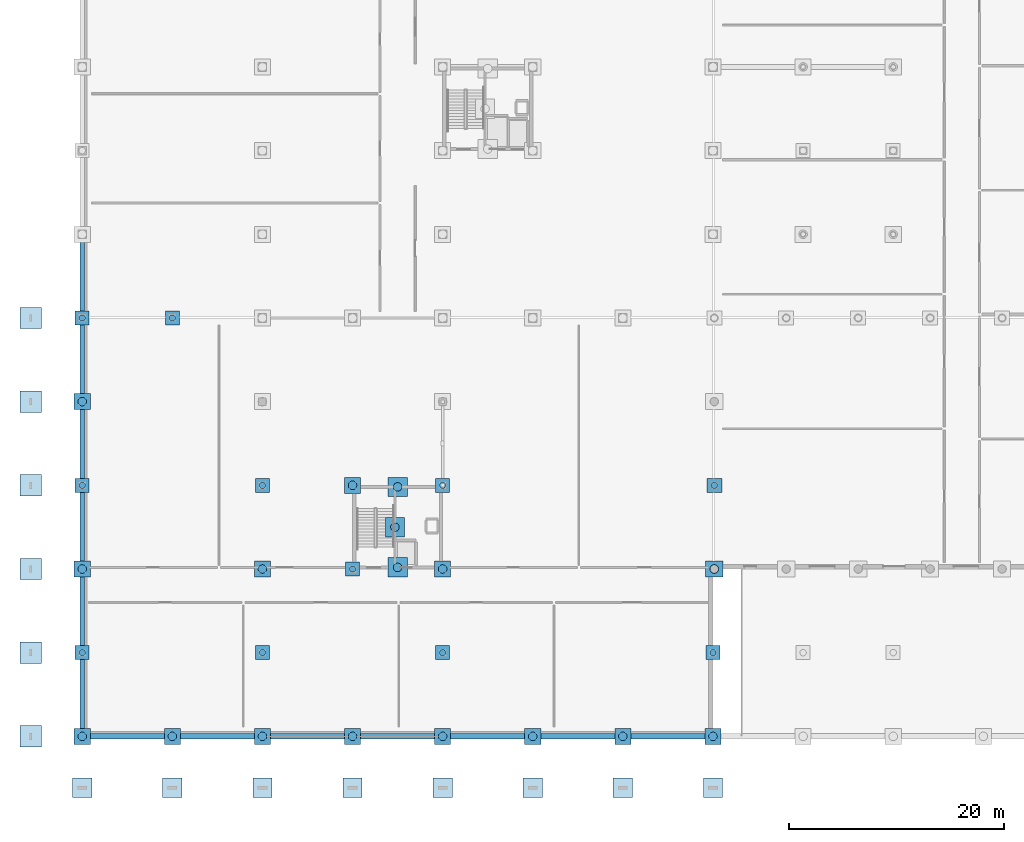
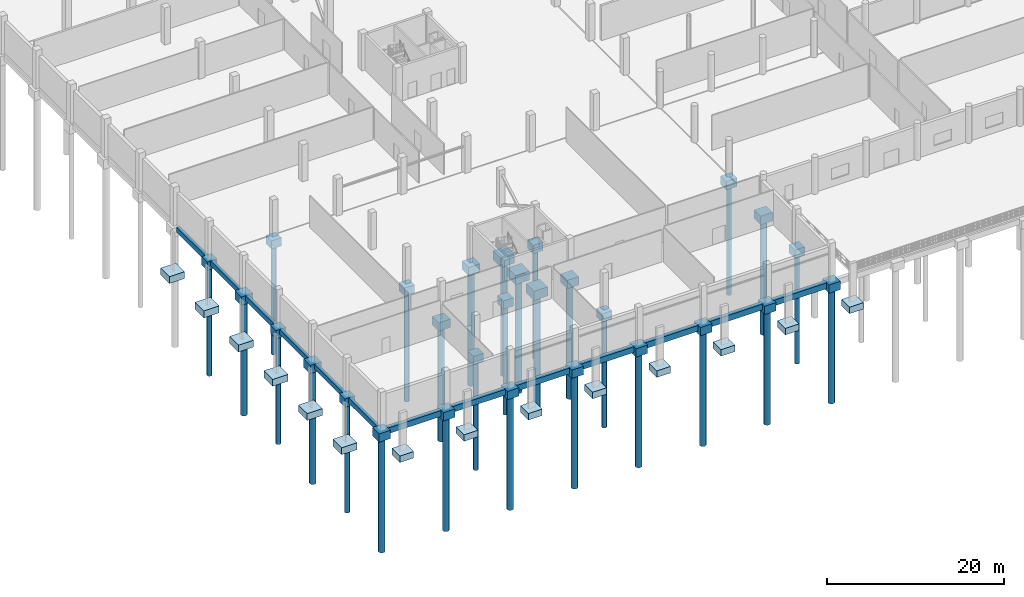
# One storey, part 1 of 48: 55 footings, 28 piles.
"""IFC4 building model written with IfcOpenShell, lengths in metres."""

from ifc_helpers import new_model, si_unit, direction, frame, origin, origin_2d, place, context, subcontext, project, spatial, polyline, rectangle, circle, outline, extrude, material, material_profile, profile_set, type_object, element, save


model = new_model("IFC4")

# Units and contexts
model_context = context("Model", 3, precision=1e-05, world=origin(), true_north=direction((0.0, 1.0)))
body_context = subcontext(model_context, "Body", "Model", "MODEL_VIEW")
ifc_project = project(units=[si_unit("LENGTHUNIT", "METRE"), si_unit("AREAUNIT", "SQUARE_METRE"), si_unit("VOLUMEUNIT", "CUBIC_METRE"), si_unit("PLANEANGLEUNIT", "RADIAN"), si_unit("MASSUNIT", "GRAM", prefix="KILO")], contexts=[model_context])

# Site, building, storey
site_placement = place(None, origin())
site = spatial("IfcSite", under=ifc_project, at=site_placement, CompositionType="ELEMENT")
building_placement = place(site_placement, origin())
building = spatial("IfcBuilding", under=site, at=building_placement, Name="Nabrawat Pavilion Hospital", CompositionType="ELEMENT")
storey_placement = place(building_placement, frame((0.0, 0.0, -5.10009765625)))
storey = spatial("IfcBuildingStorey", under=building, at=storey_placement, Name="B1", CompositionType="ELEMENT", Elevation=-5.10009765625)

# Footings
ifc_material = material(Name="Concrete C35/45", Category="concrete")
footing_type_1 = type_object("IfcFootingType", Name="Ambulance Canopy Pad Footing 2000x2000x950", PredefinedType="PAD_FOOTING", material=ifc_material)
footing_1_placement = place(storey_placement, frame((0.0, 0.0, -1.169921875)))
element("IfcFooting", 1, at=footing_1_placement, inside=storey, type_object=footing_type_1, Name="Colonnade Foundation Pad Footing 09", PredefinedType="PAD_FOOTING", context=body_context, shape_type="SweptSolid", body=[
    extrude(outline(polyline([(-3.800048828125, -1.0), (-3.800048828125, 1.0), (-5.800048828125, 1.0), (-5.800048828125, -1.0), (-3.800048828125, -1.0)])), origin(), (0.0, 0.0, 1.0), 0.949951171875),
])
footing_2_placement = place(storey_placement, frame((0.0, 0.0, -1.169921875)))
element("IfcFooting", 2, at=footing_2_placement, inside=storey, type_object=footing_type_1, Name="Colonnade Foundation Pad Footing 10", PredefinedType="PAD_FOOTING", context=body_context, shape_type="SweptSolid", body=[
    extrude(outline(polyline([(-3.800048828125, 6.800048828125), (-3.800048828125, 8.800048828125), (-5.800048828125, 8.800048828125), (-5.800048828125, 6.800048828125), (-3.800048828125, 6.800048828125)])), origin(), (0.0, 0.0, 1.0), 0.949951171875),
])
footing_3_placement = place(storey_placement, frame((0.0, 0.0, -1.169921875)))
element("IfcFooting", 3, at=footing_3_placement, inside=storey, type_object=footing_type_1, Name="Colonnade Foundation Pad Footing 11", PredefinedType="PAD_FOOTING", context=body_context, shape_type="SweptSolid", body=[
    extrude(outline(polyline([(-3.800048828125, 14.60009765625), (-3.800048828125, 16.60009765625), (-5.800048828125, 16.60009765625), (-5.800048828125, 14.60009765625), (-3.800048828125, 14.60009765625)])), origin(), (0.0, 0.0, 1.0), 0.949951171875),
])
footing_4_placement = place(storey_placement, frame((0.0, 0.0, -1.169921875)))
element("IfcFooting", 4, at=footing_4_placement, inside=storey, type_object=footing_type_1, Name="Colonnade Foundation Pad Footing 12", PredefinedType="PAD_FOOTING", context=body_context, shape_type="SweptSolid", body=[
    extrude(outline(polyline([(-3.800048828125, 22.39990234375), (-3.800048828125, 24.39990234375), (-5.800048828125, 24.39990234375), (-5.800048828125, 22.39990234375), (-3.800048828125, 22.39990234375)])), origin(), (0.0, 0.0, 1.0), 0.949951171875),
])
footing_5_placement = place(storey_placement, frame((0.0, 0.0, -1.169921875)))
element("IfcFooting", 5, at=footing_5_placement, inside=storey, type_object=footing_type_1, Name="Colonnade Foundation Pad Footing 13", PredefinedType="PAD_FOOTING", context=body_context, shape_type="SweptSolid", body=[
    extrude(outline(polyline([(-3.800048828125, 30.199951171875), (-3.800048828125, 32.199951171875), (-5.800048828125, 32.199951171875), (-5.800048828125, 30.199951171875), (-3.800048828125, 30.199951171875)])), origin(), (0.0, 0.0, 1.0), 0.949951171875),
])
footing_6_placement = place(storey_placement, frame((0.0, 0.0, -1.169921875)))
element("IfcFooting", 6, at=footing_6_placement, inside=storey, type_object=footing_type_1, Name="Colonnade Foundation Pad Footing 14", PredefinedType="PAD_FOOTING", context=body_context, shape_type="SweptSolid", body=[
    extrude(outline(polyline([(-3.800048828125, 38.0), (-3.800048828125, 40.0), (-5.800048828125, 40.0), (-5.800048828125, 38.0), (-3.800048828125, 38.0)])), origin(), (0.0, 0.0, 1.0), 0.949951171875),
])

# Piles
ifc_material_profile_1 = material_profile(ifc_material, circle(Radius=0.300048828125, at=origin_2d()), Name="DIA 600")
ifc_profile_set_1 = profile_set([ifc_material_profile_1], Name="Concrete C35/45")
pile_type_1 = type_object("IfcPileType", Name="Bored Concrete Pile D600", PredefinedType="BORED", material=ifc_profile_set_1)
for number, where, z_axis, x_axis, name in (
    (7, (0.0, 7.800048828125, -1.27001953125), (0.0, 0.0, -1.0), (1.0, 0.0, 0.0), "Bored Pile P-600 0002"),
    (8, (0.0, 23.39990234375, -1.27001953125), (0.0, 0.0, -1.0), (1.0, 0.0, 0.0), "Bored Pile P-600 0004"),
    (9, (0.0, 39.0, -1.27001953125), (0.0, 0.0, -1.0), (1.0, 0.0, 0.0), "Bored Pile P-600 0006"),
    (10, (8.39990234375, 39.0, -1.27001953125), (0.0, 0.0, -1.0), (1.0, 0.0, 0.0), "Bored Pile P-600 0018"),
    (11, (16.800048828125, 7.800048828125, -1.27001953125), (0.0, 0.0, -1.0), (1.0, 0.0, 0.0), "Bored Pile P-600 0022"),
    (12, (16.800048828125, 23.39990234375, -1.27001953125), (0.0, 0.0, -1.0), (1.0, 0.0, 0.0), "Bored Pile P-600 0024"),
    (13, (25.199951171875, 15.60009765625, -1.27001953125), (0.0, 0.0, -1.0), (1.0, 0.0, 0.0), "Bored Pile P-600 0038"),
    (14, (33.60009765625, 7.800048828125, -1.27001953125), (0.0, 0.0, -1.0), (1.0, 0.0, 0.0), "Bored Pile P-600 0046"),
    (15, (33.60009765625, 23.39990234375, -1.27001953125), (0.0, 0.0, -1.0), (1.0, 0.0, 0.0), "Bored Pile P-600 0048"),
    (16, (58.800048828125, 7.800048828125, -1.27001953125), (0.0, 0.0, -1.0), (1.0, 0.0, 0.0), "Bored Pile P-600 0072"),
):
    element("IfcPile", number, at=place(storey_placement, frame(where, z_axis=z_axis, x_axis=x_axis)), inside=storey, type_object=pile_type_1, Name=name, PredefinedType="BORED", context=body_context, shape_type="SweptSolid", body=[
        extrude(circle(Radius=0.300048828125, at=origin_2d()), origin(), (0.0, 0.0, 1.0), 15.1298828125),
    ])
pile_1_placement = place(storey_placement, frame((58.919921875, 23.39990234375, -1.2998046875), z_axis=(0.0, 0.0, -1.0), x_axis=(1.0, 0.0, 0.0)))
element("IfcPile", 17, at=pile_1_placement, inside=storey, type_object=pile_type_1, Name="Bored Pile P-600 0084", PredefinedType="BORED", context=body_context, shape_type="SweptSolid", body=[
    extrude(circle(Radius=0.300048828125, at=origin_2d()), origin(), (0.0, 0.0, 1.0), 15.10009765625),
])
ifc_material_profile_2 = material_profile(ifc_material, circle(Radius=0.39990234375, at=origin_2d()), Name="DIA 800")
ifc_profile_set_2 = profile_set([ifc_material_profile_2], Name="Concrete C35/45")
pile_type_2 = type_object("IfcPileType", Name="Bored Concrete Pile D800", PredefinedType="BORED", material=ifc_profile_set_2)
for number, where, z_axis, x_axis, name in (
    (18, (0.0, 0.0, -1.27001953125), (0.0, 0.0, -1.0), (1.0, 0.0, 0.0), "Bored Pile P-800 0001"),
    (19, (0.0, 15.60009765625, -1.27001953125), (0.0, 0.0, -1.0), (1.0, 0.0, 0.0), "Bored Pile P-800 0003"),
    (20, (0.0, 31.199951171875, -1.27001953125), (0.0, 0.0, -1.0), (1.0, 0.0, 0.0), "Bored Pile P-800 0005"),
    (21, (8.39990234375, 0.0, -1.27001953125), (0.0, 0.0, -1.0), (1.0, 0.0, 0.0), "Bored Pile P-800 0017"),
    (22, (16.800048828125, 0.0, -1.27001953125), (0.0, 0.0, -1.0), (1.0, 0.0, 0.0), "Bored Pile P-800 0021"),
    (23, (16.800048828125, 15.60009765625, -1.27001953125), (0.0, 0.0, -1.0), (1.0, 0.0, 0.0), "Bored Pile P-800 0023"),
    (24, (25.199951171875, 0.0, -1.27001953125), (0.0, 0.0, -1.0), (1.0, 0.0, 0.0), "Bored Pile P-800 0037"),
    (25, (25.199951171875, 23.39990234375, -1.27001953125), (0.0, 0.0, -1.0), (1.0, 0.0, 0.0), "Bored Pile P-800 0039"),
    (26, (33.60009765625, 0.0, -1.27001953125), (0.0, 0.0, -1.0), (1.0, 0.0, 0.0), "Bored Pile P-800 0045"),
    (27, (33.60009765625, 15.60009765625, -1.27001953125), (0.0, 0.0, -1.0), (1.0, 0.0, 0.0), "Bored Pile P-800 0047"),
    (28, (42.0, 0.0, -1.27001953125), (0.0, 0.0, -1.0), (1.0, 0.0, 0.0), "Bored Pile P-800 0061"),
    (29, (50.39990234375, 0.0, -1.27001953125), (0.0, 0.0, -1.0), (1.0, 0.0, 0.0), "Bored Pile P-800 0067"),
    (30, (58.800048828125, 0.0, -1.27001953125), (0.0, 0.0, -1.0), (1.0, 0.0, 0.0), "Bored Pile P-800 0071"),
):
    element("IfcPile", number, at=place(storey_placement, frame(where, z_axis=z_axis, x_axis=x_axis)), inside=storey, type_object=pile_type_2, Name=name, PredefinedType="BORED", context=body_context, shape_type="SweptSolid", body=[
        extrude(circle(Radius=0.39990234375, at=origin_2d()), origin(), (0.0, 0.0, 1.0), 15.830078125),
    ])
pile_2_placement = place(storey_placement, frame((58.919921875, 15.60009765625, -1.2998046875), z_axis=(0.0, 0.0, -1.0), x_axis=(1.0, 0.0, 0.0)))
element("IfcPile", 31, at=pile_2_placement, inside=storey, type_object=pile_type_2, Name="Bored Pile P-800 0083", PredefinedType="BORED", context=body_context, shape_type="SweptSolid", body=[
    extrude(circle(Radius=0.39990234375, at=origin_2d()), origin(), (0.0, 0.0, 1.0), 15.800048828125),
])
for number, where, z_axis, x_axis, name in (
    (32, (29.39990234375, 15.75, -1.369873046875), (0.0, 0.0, -1.0), (1.0, 0.0, 0.0), "Bored Pile P-800 0375"),
    (33, (29.39990234375, 23.25, -1.369873046875), (0.0, 0.0, -1.0), (1.0, 0.0, 0.0), "Bored Pile P-800 0376"),
    (34, (29.14990234375, 19.5, -1.369873046875), (0.0, 0.0, -1.0), (1.0, 0.0, 0.0), "Bored Pile P-800 0377"),
):
    element("IfcPile", number, at=place(storey_placement, frame(where, z_axis=z_axis, x_axis=x_axis)), inside=storey, type_object=pile_type_2, Name=name, PredefinedType="BORED", context=body_context, shape_type="SweptSolid", body=[
        extrude(circle(Radius=0.39990234375, at=origin_2d()), origin(), (0.0, 0.0, 1.0), 15.72998046875),
    ])

# Footings
ifc_material_profile_3 = material_profile(ifc_material, rectangle(XDim=0.39990234375, YDim=0.699951171875, at=origin_2d()), Name="RC 400x700")
ifc_profile_set_3 = profile_set([ifc_material_profile_3], Name="Concrete C35/45")
footing_type_2 = type_object("IfcFootingType", Name="Concrete Ground Tie Beam 400x700", PredefinedType="FOOTING_BEAM", material=ifc_profile_set_3)
footing_7_placement = place(storey_placement, frame((0.0, 0.72998046875, -0.56982421875), z_axis=(0.0, 1.0, 0.0), x_axis=(-1.0, 0.0, 0.0)))
element("IfcFooting", 35, at=footing_7_placement, inside=storey, type_object=footing_type_2, Name="B1 Ground Tie Beam Y 043", PredefinedType="FOOTING_BEAM", context=body_context, shape_type="SweptSolid", body=[
    extrude(rectangle(XDim=0.39990234375, YDim=0.699951171875, at=origin_2d()), origin(), (0.0, 0.0, 1.0), 6.43994140625),
])
footing_8_placement = place(storey_placement, frame((0.0, 8.429931640625, -0.56982421875), z_axis=(0.0, 1.0, 0.0), x_axis=(-1.0, 0.0, 0.0)))
element("IfcFooting", 36, at=footing_8_placement, inside=storey, type_object=footing_type_2, Name="B1 Ground Tie Beam Y 044", PredefinedType="FOOTING_BEAM", context=body_context, shape_type="SweptSolid", body=[
    extrude(rectangle(XDim=0.39990234375, YDim=0.699951171875, at=origin_2d()), origin(), (0.0, 0.0, 1.0), 6.440185546875),
])
for number, where, z_axis, x_axis, name in (
    (37, (0.0, 16.330078125, -0.56982421875), (0.0, 1.0, 0.0), (-1.0, 0.0, 0.0), "B1 Ground Tie Beam Y 045"),
    (38, (0.0, 24.030029296875, -0.56982421875), (0.0, 1.0, 0.0), (-1.0, 0.0, 0.0), "B1 Ground Tie Beam Y 046"),
):
    element("IfcFooting", number, at=place(storey_placement, frame(where, z_axis=z_axis, x_axis=x_axis)), inside=storey, type_object=footing_type_2, Name=name, PredefinedType="FOOTING_BEAM", context=body_context, shape_type="SweptSolid", body=[
        extrude(rectangle(XDim=0.39990234375, YDim=0.699951171875, at=origin_2d()), origin(), (0.0, 0.0, 1.0), 6.43994140625),
    ])
for number, where, z_axis, x_axis, name in (
    (39, (0.0, 31.929931640625, -0.56982421875), (0.0, 1.0, 0.0), (-1.0, 0.0, 0.0), "B1 Ground Tie Beam Y 047"),
    (40, (0.0, 39.6298828125, -0.56982421875), (0.0, 1.0, 0.0), (-1.0, 0.0, 0.0), "B1 Ground Tie Beam Y 048"),
):
    element("IfcFooting", number, at=place(storey_placement, frame(where, z_axis=z_axis, x_axis=x_axis)), inside=storey, type_object=footing_type_2, Name=name, PredefinedType="FOOTING_BEAM", context=body_context, shape_type="SweptSolid", body=[
        extrude(rectangle(XDim=0.39990234375, YDim=0.699951171875, at=origin_2d()), origin(), (0.0, 0.0, 1.0), 6.440185546875),
    ])
ifc_material_profile_4 = material_profile(ifc_material, rectangle(XDim=0.5, YDim=0.800048828125, at=origin_2d()), Name="RC 500x800")
ifc_profile_set_4 = profile_set([ifc_material_profile_4], Name="Concrete C35/45")
footing_type_3 = type_object("IfcFootingType", Name="Concrete Ground Tie Beam 500x800", PredefinedType="FOOTING_BEAM", material=ifc_profile_set_4)
footing_9_placement = place(storey_placement, frame((0.72998046875, 0.0, -0.619873046875), z_axis=(1.0, 0.0, 0.0), x_axis=(0.0, 1.0, 0.0)))
element("IfcFooting", 41, at=footing_9_placement, inside=storey, type_object=footing_type_3, Name="B1 Ground Tie Beam X 001", PredefinedType="FOOTING_BEAM", context=body_context, shape_type="SweptSolid", body=[
    extrude(rectangle(XDim=0.5, YDim=0.800048828125, at=origin_2d()), origin(), (0.0, 0.0, 1.0), 6.93994140625),
])
footing_10_placement = place(storey_placement, frame((9.1298828125, 0.0, -0.619873046875), z_axis=(1.0, 0.0, 0.0), x_axis=(0.0, 1.0, 0.0)))
element("IfcFooting", 42, at=footing_10_placement, inside=storey, type_object=footing_type_3, Name="B1 Ground Tie Beam X 002", PredefinedType="FOOTING_BEAM", context=body_context, shape_type="SweptSolid", body=[
    extrude(rectangle(XDim=0.5, YDim=0.800048828125, at=origin_2d()), origin(), (0.0, 0.0, 1.0), 6.940185546875),
])
footing_11_placement = place(storey_placement, frame((17.530029296875, 0.0, -0.619873046875), z_axis=(1.0, 0.0, 0.0), x_axis=(0.0, 1.0, 0.0)))
element("IfcFooting", 43, at=footing_11_placement, inside=storey, type_object=footing_type_3, Name="B1 Ground Tie Beam X 003", PredefinedType="FOOTING_BEAM", context=body_context, shape_type="SweptSolid", body=[
    extrude(rectangle(XDim=0.5, YDim=0.800048828125, at=origin_2d()), origin(), (0.0, 0.0, 1.0), 6.93994140625),
])
footing_12_placement = place(storey_placement, frame((25.929931640625, 0.0, -0.619873046875), z_axis=(1.0, 0.0, 0.0), x_axis=(0.0, 1.0, 0.0)))
element("IfcFooting", 44, at=footing_12_placement, inside=storey, type_object=footing_type_3, Name="B1 Ground Tie Beam X 004", PredefinedType="FOOTING_BEAM", context=body_context, shape_type="SweptSolid", body=[
    extrude(rectangle(XDim=0.5, YDim=0.800048828125, at=origin_2d()), origin(), (0.0, 0.0, 1.0), 6.940185546875),
])
for number, where, z_axis, x_axis, name in (
    (45, (34.330078125, 0.0, -0.619873046875), (1.0, 0.0, 0.0), (0.0, 1.0, 0.0), "B1 Ground Tie Beam X 005"),
    (46, (42.72998046875, 0.0, -0.619873046875), (1.0, 0.0, 0.0), (0.0, 1.0, 0.0), "B1 Ground Tie Beam X 006"),
):
    element("IfcFooting", number, at=place(storey_placement, frame(where, z_axis=z_axis, x_axis=x_axis)), inside=storey, type_object=footing_type_3, Name=name, PredefinedType="FOOTING_BEAM", context=body_context, shape_type="SweptSolid", body=[
        extrude(rectangle(XDim=0.5, YDim=0.800048828125, at=origin_2d()), origin(), (0.0, 0.0, 1.0), 6.93994140625),
    ])
footing_13_placement = place(storey_placement, frame((51.1298828125, 0.0, -0.619873046875), z_axis=(1.0, 0.0, 0.0), x_axis=(0.0, 1.0, 0.0)))
element("IfcFooting", 47, at=footing_13_placement, inside=storey, type_object=footing_type_3, Name="B1 Ground Tie Beam X 007", PredefinedType="FOOTING_BEAM", context=body_context, shape_type="SweptSolid", body=[
    extrude(rectangle(XDim=0.5, YDim=0.800048828125, at=origin_2d()), origin(), (0.0, 0.0, 1.0), 6.940185546875),
])
footing_type_4 = type_object("IfcFootingType", Name="Exterior Colonnade Pad Footing 1800x1800x900", PredefinedType="PAD_FOOTING", material=ifc_material)
footing_14_placement = place(storey_placement, frame((0.0, 0.0, -1.119873046875)))
element("IfcFooting", 48, at=footing_14_placement, inside=storey, type_object=footing_type_4, Name="Colonnade Foundation Pad Footing 01", PredefinedType="PAD_FOOTING", context=body_context, shape_type="SweptSolid", body=[
    extrude(outline(polyline([(0.89990234375, -5.699951171875), (0.89990234375, -3.89990234375), (-0.89990234375, -3.89990234375), (-0.89990234375, -5.699951171875), (0.89990234375, -5.699951171875)])), origin(), (0.0, 0.0, 1.0), 0.89990234375),
])
footing_15_placement = place(storey_placement, frame((0.0, 0.0, -1.119873046875)))
element("IfcFooting", 49, at=footing_15_placement, inside=storey, type_object=footing_type_4, Name="Colonnade Foundation Pad Footing 02", PredefinedType="PAD_FOOTING", context=body_context, shape_type="SweptSolid", body=[
    extrude(outline(polyline([(9.300048828125, -5.699951171875), (9.300048828125, -3.89990234375), (7.5, -3.89990234375), (7.5, -5.699951171875), (9.300048828125, -5.699951171875)])), origin(), (0.0, 0.0, 1.0), 0.89990234375),
])
footing_16_placement = place(storey_placement, frame((0.0, 0.0, -1.119873046875)))
element("IfcFooting", 50, at=footing_16_placement, inside=storey, type_object=footing_type_4, Name="Colonnade Foundation Pad Footing 03", PredefinedType="PAD_FOOTING", context=body_context, shape_type="SweptSolid", body=[
    extrude(outline(polyline([(17.699951171875, -5.699951171875), (17.699951171875, -3.89990234375), (15.89990234375, -3.89990234375), (15.89990234375, -5.699951171875), (17.699951171875, -5.699951171875)])), origin(), (0.0, 0.0, 1.0), 0.89990234375),
])
footing_17_placement = place(storey_placement, frame((0.0, 0.0, -1.119873046875)))
element("IfcFooting", 51, at=footing_17_placement, inside=storey, type_object=footing_type_4, Name="Colonnade Foundation Pad Footing 04", PredefinedType="PAD_FOOTING", context=body_context, shape_type="SweptSolid", body=[
    extrude(outline(polyline([(26.10009765625, -5.699951171875), (26.10009765625, -3.89990234375), (24.300048828125, -3.89990234375), (24.300048828125, -5.699951171875), (26.10009765625, -5.699951171875)])), origin(), (0.0, 0.0, 1.0), 0.89990234375),
])
footing_18_placement = place(storey_placement, frame((0.0, 0.0, -1.119873046875)))
element("IfcFooting", 52, at=footing_18_placement, inside=storey, type_object=footing_type_4, Name="Colonnade Foundation Pad Footing 05", PredefinedType="PAD_FOOTING", context=body_context, shape_type="SweptSolid", body=[
    extrude(outline(polyline([(34.5, -5.699951171875), (34.5, -3.89990234375), (32.699951171875, -3.89990234375), (32.699951171875, -5.699951171875), (34.5, -5.699951171875)])), origin(), (0.0, 0.0, 1.0), 0.89990234375),
])
footing_19_placement = place(storey_placement, frame((0.0, 0.0, -1.119873046875)))
element("IfcFooting", 53, at=footing_19_placement, inside=storey, type_object=footing_type_4, Name="Colonnade Foundation Pad Footing 06", PredefinedType="PAD_FOOTING", context=body_context, shape_type="SweptSolid", body=[
    extrude(outline(polyline([(42.89990234375, -5.699951171875), (42.89990234375, -3.89990234375), (41.10009765625, -3.89990234375), (41.10009765625, -5.699951171875), (42.89990234375, -5.699951171875)])), origin(), (0.0, 0.0, 1.0), 0.89990234375),
])
footing_20_placement = place(storey_placement, frame((0.0, 0.0, -1.119873046875)))
element("IfcFooting", 54, at=footing_20_placement, inside=storey, type_object=footing_type_4, Name="Colonnade Foundation Pad Footing 07", PredefinedType="PAD_FOOTING", context=body_context, shape_type="SweptSolid", body=[
    extrude(outline(polyline([(51.300048828125, -5.699951171875), (51.300048828125, -3.89990234375), (49.5, -3.89990234375), (49.5, -5.699951171875), (51.300048828125, -5.699951171875)])), origin(), (0.0, 0.0, 1.0), 0.89990234375),
])
footing_21_placement = place(storey_placement, frame((0.0, 0.0, -1.119873046875)))
element("IfcFooting", 55, at=footing_21_placement, inside=storey, type_object=footing_type_4, Name="Colonnade Foundation Pad Footing 08", PredefinedType="PAD_FOOTING", context=body_context, shape_type="SweptSolid", body=[
    extrude(outline(polyline([(59.699951171875, -5.699951171875), (59.699951171875, -3.89990234375), (57.89990234375, -3.89990234375), (57.89990234375, -5.699951171875), (59.699951171875, -5.699951171875)])), origin(), (0.0, 0.0, 1.0), 0.89990234375),
])
footing_type_5 = type_object("IfcFootingType", Name="Reinforced Concrete Pile Cap 1300x1300x1150", PredefinedType="PILE_CAP", material=ifc_material)
footing_22_placement = place(storey_placement, frame((0.0, 0.0, -1.369873046875)))
element("IfcFooting", 56, at=footing_22_placement, inside=storey, type_object=footing_type_5, Name="B1 Combined Pile Cap CAP-002", PredefinedType="PILE_CAP", context=body_context, shape_type="SweptSolid", body=[
    extrude(outline(polyline([(0.64990234375, 7.14990234375), (0.64990234375, 8.449951171875), (-0.64990234375, 8.449951171875), (-0.64990234375, 7.14990234375), (0.64990234375, 7.14990234375)])), origin(), (0.0, 0.0, 1.0), 1.14990234375),
])
footing_23_placement = place(storey_placement, frame((0.0, 0.0, -1.369873046875)))
element("IfcFooting", 57, at=footing_23_placement, inside=storey, type_object=footing_type_5, Name="B1 Combined Pile Cap CAP-004", PredefinedType="PILE_CAP", context=body_context, shape_type="SweptSolid", body=[
    extrude(outline(polyline([(0.64990234375, 22.75), (0.64990234375, 24.050048828125), (-0.64990234375, 24.050048828125), (-0.64990234375, 22.75), (0.64990234375, 22.75)])), origin(), (0.0, 0.0, 1.0), 1.14990234375),
])
footing_24_placement = place(storey_placement, frame((0.0, 0.0, -1.369873046875)))
element("IfcFooting", 58, at=footing_24_placement, inside=storey, type_object=footing_type_5, Name="B1 Combined Pile Cap CAP-006", PredefinedType="PILE_CAP", context=body_context, shape_type="SweptSolid", body=[
    extrude(outline(polyline([(0.64990234375, 38.35009765625), (0.64990234375, 39.64990234375), (-0.64990234375, 39.64990234375), (-0.64990234375, 38.35009765625), (0.64990234375, 38.35009765625)])), origin(), (0.0, 0.0, 1.0), 1.14990234375),
])
footing_25_placement = place(storey_placement, frame((0.0, 0.0, -1.369873046875)))
element("IfcFooting", 59, at=footing_25_placement, inside=storey, type_object=footing_type_5, Name="B1 Combined Pile Cap CAP-018", PredefinedType="PILE_CAP", context=body_context, shape_type="SweptSolid", body=[
    extrude(outline(polyline([(9.050048828125, 38.35009765625), (9.050048828125, 39.64990234375), (7.75, 39.64990234375), (7.75, 38.35009765625), (9.050048828125, 38.35009765625)])), origin(), (0.0, 0.0, 1.0), 1.14990234375),
])
footing_26_placement = place(storey_placement, frame((0.0, 0.0, -1.369873046875)))
element("IfcFooting", 60, at=footing_26_placement, inside=storey, type_object=footing_type_5, Name="B1 Combined Pile Cap CAP-022", PredefinedType="PILE_CAP", context=body_context, shape_type="SweptSolid", body=[
    extrude(outline(polyline([(17.449951171875, 7.14990234375), (17.449951171875, 8.449951171875), (16.14990234375, 8.449951171875), (16.14990234375, 7.14990234375), (17.449951171875, 7.14990234375)])), origin(), (0.0, 0.0, 1.0), 1.14990234375),
])
footing_27_placement = place(storey_placement, frame((0.0, 0.0, -1.369873046875)))
element("IfcFooting", 61, at=footing_27_placement, inside=storey, type_object=footing_type_5, Name="B1 Combined Pile Cap CAP-024", PredefinedType="PILE_CAP", context=body_context, shape_type="SweptSolid", body=[
    extrude(outline(polyline([(17.449951171875, 22.75), (17.449951171875, 24.050048828125), (16.14990234375, 24.050048828125), (16.14990234375, 22.75), (17.449951171875, 22.75)])), origin(), (0.0, 0.0, 1.0), 1.14990234375),
])
footing_28_placement = place(storey_placement, frame((0.0, 0.0, -1.369873046875)))
element("IfcFooting", 62, at=footing_28_placement, inside=storey, type_object=footing_type_5, Name="B1 Combined Pile Cap CAP-038", PredefinedType="PILE_CAP", context=body_context, shape_type="SweptSolid", body=[
    extrude(outline(polyline([(25.85009765625, 14.949951171875), (25.85009765625, 16.25), (24.550048828125, 16.25), (24.550048828125, 14.949951171875), (25.85009765625, 14.949951171875)])), origin(), (0.0, 0.0, 1.0), 1.14990234375),
])
footing_29_placement = place(storey_placement, frame((0.0, 0.0, -1.369873046875)))
element("IfcFooting", 63, at=footing_29_placement, inside=storey, type_object=footing_type_5, Name="B1 Combined Pile Cap CAP-046", PredefinedType="PILE_CAP", context=body_context, shape_type="SweptSolid", body=[
    extrude(outline(polyline([(34.25, 7.14990234375), (34.25, 8.449951171875), (32.949951171875, 8.449951171875), (32.949951171875, 7.14990234375), (34.25, 7.14990234375)])), origin(), (0.0, 0.0, 1.0), 1.14990234375),
])
footing_30_placement = place(storey_placement, frame((0.0, 0.0, -1.369873046875)))
element("IfcFooting", 64, at=footing_30_placement, inside=storey, type_object=footing_type_5, Name="B1 Combined Pile Cap CAP-048", PredefinedType="PILE_CAP", context=body_context, shape_type="SweptSolid", body=[
    extrude(outline(polyline([(34.25, 22.75), (34.25, 24.050048828125), (32.949951171875, 24.050048828125), (32.949951171875, 22.75), (34.25, 22.75)])), origin(), (0.0, 0.0, 1.0), 1.14990234375),
])
footing_31_placement = place(storey_placement, frame((0.0, 0.0, -1.369873046875)))
element("IfcFooting", 65, at=footing_31_placement, inside=storey, type_object=footing_type_5, Name="B1 Combined Pile Cap CAP-072", PredefinedType="PILE_CAP", context=body_context, shape_type="SweptSolid", body=[
    extrude(outline(polyline([(59.449951171875, 7.14990234375), (59.449951171875, 8.449951171875), (58.14990234375, 8.449951171875), (58.14990234375, 7.14990234375), (59.449951171875, 7.14990234375)])), origin(), (0.0, 0.0, 1.0), 1.14990234375),
])
footing_type_6 = type_object("IfcFootingType", Name="Reinforced Concrete Pile Cap 1300x1400x1180", PredefinedType="PILE_CAP", material=ifc_material)
footing_32_placement = place(storey_placement, frame((0.0, 0.0, -1.39990234375)))
element("IfcFooting", 66, at=footing_32_placement, inside=storey, type_object=footing_type_6, Name="B1 Combined Pile Cap CAP-084", PredefinedType="PILE_CAP", context=body_context, shape_type="SweptSolid", body=[
    extrude(outline(polyline([(59.6201171875, 22.75), (59.6201171875, 24.050048828125), (58.219970703125, 24.050048828125), (58.219970703125, 22.75), (59.6201171875, 22.75)])), origin(), (0.0, 0.0, 1.0), 1.179931640625),
])
footing_type_7 = type_object("IfcFootingType", Name="Reinforced Concrete Pile Cap 1500x1500x1150", PredefinedType="PILE_CAP", material=ifc_material)
footing_33_placement = place(storey_placement, frame((0.0, 0.0, -1.369873046875)))
element("IfcFooting", 67, at=footing_33_placement, inside=storey, type_object=footing_type_7, Name="B1 Combined Pile Cap CAP-001", PredefinedType="PILE_CAP", context=body_context, shape_type="SweptSolid", body=[
    extrude(outline(polyline([(0.75, -0.75), (0.75, 0.75), (-0.75, 0.75), (-0.75, -0.75), (0.75, -0.75)])), origin(), (0.0, 0.0, 1.0), 1.14990234375),
])
footing_34_placement = place(storey_placement, frame((0.0, 0.0, -1.369873046875)))
element("IfcFooting", 68, at=footing_34_placement, inside=storey, type_object=footing_type_7, Name="B1 Combined Pile Cap CAP-003", PredefinedType="PILE_CAP", context=body_context, shape_type="SweptSolid", body=[
    extrude(outline(polyline([(0.75, 14.85009765625), (0.75, 16.35009765625), (-0.75, 16.35009765625), (-0.75, 14.85009765625), (0.75, 14.85009765625)])), origin(), (0.0, 0.0, 1.0), 1.14990234375),
])
footing_35_placement = place(storey_placement, frame((0.0, 0.0, -1.369873046875)))
element("IfcFooting", 69, at=footing_35_placement, inside=storey, type_object=footing_type_7, Name="B1 Combined Pile Cap CAP-005", PredefinedType="PILE_CAP", context=body_context, shape_type="SweptSolid", body=[
    extrude(outline(polyline([(0.75, 30.449951171875), (0.75, 31.949951171875), (-0.75, 31.949951171875), (-0.75, 30.449951171875), (0.75, 30.449951171875)])), origin(), (0.0, 0.0, 1.0), 1.14990234375),
])
footing_36_placement = place(storey_placement, frame((0.0, 0.0, -1.369873046875)))
element("IfcFooting", 70, at=footing_36_placement, inside=storey, type_object=footing_type_7, Name="B1 Combined Pile Cap CAP-017", PredefinedType="PILE_CAP", context=body_context, shape_type="SweptSolid", body=[
    extrude(outline(polyline([(9.14990234375, -0.75), (9.14990234375, 0.75), (7.64990234375, 0.75), (7.64990234375, -0.75), (9.14990234375, -0.75)])), origin(), (0.0, 0.0, 1.0), 1.14990234375),
])
footing_37_placement = place(storey_placement, frame((0.0, 0.0, -1.369873046875)))
element("IfcFooting", 71, at=footing_37_placement, inside=storey, type_object=footing_type_7, Name="B1 Combined Pile Cap CAP-021", PredefinedType="PILE_CAP", context=body_context, shape_type="SweptSolid", body=[
    extrude(outline(polyline([(17.550048828125, -0.75), (17.550048828125, 0.75), (16.050048828125, 0.75), (16.050048828125, -0.75), (17.550048828125, -0.75)])), origin(), (0.0, 0.0, 1.0), 1.14990234375),
])
footing_38_placement = place(storey_placement, frame((0.0, 0.0, -1.369873046875)))
element("IfcFooting", 72, at=footing_38_placement, inside=storey, type_object=footing_type_7, Name="B1 Combined Pile Cap CAP-023", PredefinedType="PILE_CAP", context=body_context, shape_type="SweptSolid", body=[
    extrude(outline(polyline([(17.550048828125, 14.85009765625), (17.550048828125, 16.35009765625), (16.050048828125, 16.35009765625), (16.050048828125, 14.85009765625), (17.550048828125, 14.85009765625)])), origin(), (0.0, 0.0, 1.0), 1.14990234375),
])
footing_39_placement = place(storey_placement, frame((0.0, 0.0, -1.369873046875)))
element("IfcFooting", 73, at=footing_39_placement, inside=storey, type_object=footing_type_7, Name="B1 Combined Pile Cap CAP-037", PredefinedType="PILE_CAP", context=body_context, shape_type="SweptSolid", body=[
    extrude(outline(polyline([(25.949951171875, -0.75), (25.949951171875, 0.75), (24.449951171875, 0.75), (24.449951171875, -0.75), (25.949951171875, -0.75)])), origin(), (0.0, 0.0, 1.0), 1.14990234375),
])
footing_40_placement = place(storey_placement, frame((0.0, 0.0, -1.369873046875)))
element("IfcFooting", 74, at=footing_40_placement, inside=storey, type_object=footing_type_7, Name="B1 Combined Pile Cap CAP-039", PredefinedType="PILE_CAP", context=body_context, shape_type="SweptSolid", body=[
    extrude(outline(polyline([(25.949951171875, 22.64990234375), (25.949951171875, 24.14990234375), (24.449951171875, 24.14990234375), (24.449951171875, 22.64990234375), (25.949951171875, 22.64990234375)])), origin(), (0.0, 0.0, 1.0), 1.14990234375),
])
footing_41_placement = place(storey_placement, frame((0.0, 0.0, -1.369873046875)))
element("IfcFooting", 75, at=footing_41_placement, inside=storey, type_object=footing_type_7, Name="B1 Combined Pile Cap CAP-045", PredefinedType="PILE_CAP", context=body_context, shape_type="SweptSolid", body=[
    extrude(outline(polyline([(34.35009765625, -0.75), (34.35009765625, 0.75), (32.85009765625, 0.75), (32.85009765625, -0.75), (34.35009765625, -0.75)])), origin(), (0.0, 0.0, 1.0), 1.14990234375),
])
footing_42_placement = place(storey_placement, frame((0.0, 0.0, -1.369873046875)))
element("IfcFooting", 76, at=footing_42_placement, inside=storey, type_object=footing_type_7, Name="B1 Combined Pile Cap CAP-047", PredefinedType="PILE_CAP", context=body_context, shape_type="SweptSolid", body=[
    extrude(outline(polyline([(34.35009765625, 14.85009765625), (34.35009765625, 16.35009765625), (32.85009765625, 16.35009765625), (32.85009765625, 14.85009765625), (34.35009765625, 14.85009765625)])), origin(), (0.0, 0.0, 1.0), 1.14990234375),
])
footing_43_placement = place(storey_placement, frame((0.0, 0.0, -1.369873046875)))
element("IfcFooting", 77, at=footing_43_placement, inside=storey, type_object=footing_type_7, Name="B1 Combined Pile Cap CAP-061", PredefinedType="PILE_CAP", context=body_context, shape_type="SweptSolid", body=[
    extrude(outline(polyline([(42.75, -0.75), (42.75, 0.75), (41.25, 0.75), (41.25, -0.75), (42.75, -0.75)])), origin(), (0.0, 0.0, 1.0), 1.14990234375),
])
footing_44_placement = place(storey_placement, frame((0.0, 0.0, -1.369873046875)))
element("IfcFooting", 78, at=footing_44_placement, inside=storey, type_object=footing_type_7, Name="B1 Combined Pile Cap CAP-067", PredefinedType="PILE_CAP", context=body_context, shape_type="SweptSolid", body=[
    extrude(outline(polyline([(51.14990234375, -0.75), (51.14990234375, 0.75), (49.64990234375, 0.75), (49.64990234375, -0.75), (51.14990234375, -0.75)])), origin(), (0.0, 0.0, 1.0), 1.14990234375),
])
footing_45_placement = place(storey_placement, frame((0.0, 0.0, -1.369873046875)))
element("IfcFooting", 79, at=footing_45_placement, inside=storey, type_object=footing_type_7, Name="B1 Combined Pile Cap CAP-071", PredefinedType="PILE_CAP", context=body_context, shape_type="SweptSolid", body=[
    extrude(outline(polyline([(59.550048828125, -0.75), (59.550048828125, 0.75), (58.050048828125, 0.75), (58.050048828125, -0.75), (59.550048828125, -0.75)])), origin(), (0.0, 0.0, 1.0), 1.14990234375),
])
footing_type_8 = type_object("IfcFootingType", Name="Reinforced Concrete Pile Cap 1500x1600x1180", PredefinedType="PILE_CAP", material=ifc_material)
footing_46_placement = place(storey_placement, frame((0.0, 0.0, -1.39990234375)))
element("IfcFooting", 80, at=footing_46_placement, inside=storey, type_object=footing_type_8, Name="B1 Combined Pile Cap CAP-083", PredefinedType="PILE_CAP", context=body_context, shape_type="SweptSolid", body=[
    extrude(outline(polyline([(59.719970703125, 14.85009765625), (59.719970703125, 16.35009765625), (58.1201171875, 16.35009765625), (58.1201171875, 14.85009765625), (59.719970703125, 14.85009765625)])), origin(), (0.0, 0.0, 1.0), 1.179931640625),
])
footing_type_9 = type_object("IfcFootingType", Name="Reinforced Concrete Pile Cap 1800x1800x1250", PredefinedType="PILE_CAP", material=ifc_material)
footing_47_placement = place(storey_placement, frame((0.0, 0.0, -1.469970703125)))
element("IfcFooting", 81, at=footing_47_placement, inside=storey, type_object=footing_type_9, Name="B1 Core Shear Wall Pile Cap CAP-CORE-01", PredefinedType="PILE_CAP", context=body_context, shape_type="SweptSolid", body=[
    extrude(outline(polyline([(30.300048828125, 14.85009765625), (30.300048828125, 16.64990234375), (28.5, 16.64990234375), (28.5, 14.85009765625), (30.300048828125, 14.85009765625)])), origin(), (0.0, 0.0, 1.0), 1.25),
])
footing_48_placement = place(storey_placement, frame((0.0, 0.0, -1.469970703125)))
element("IfcFooting", 82, at=footing_48_placement, inside=storey, type_object=footing_type_9, Name="B1 Core Shear Wall Pile Cap CAP-CORE-02", PredefinedType="PILE_CAP", context=body_context, shape_type="SweptSolid", body=[
    extrude(outline(polyline([(30.300048828125, 22.35009765625), (30.300048828125, 24.14990234375), (28.5, 24.14990234375), (28.5, 22.35009765625), (30.300048828125, 22.35009765625)])), origin(), (0.0, 0.0, 1.0), 1.25),
])
footing_49_placement = place(storey_placement, frame((0.0, 0.0, -1.469970703125)))
element("IfcFooting", 83, at=footing_49_placement, inside=storey, type_object=footing_type_9, Name="B1 Core Shear Wall Pile Cap CAP-CORE-03", PredefinedType="PILE_CAP", context=body_context, shape_type="SweptSolid", body=[
    extrude(outline(polyline([(30.050048828125, 18.60009765625), (30.050048828125, 20.39990234375), (28.25, 20.39990234375), (28.25, 18.60009765625), (30.050048828125, 18.60009765625)])), origin(), (0.0, 0.0, 1.0), 1.25),
])

save(model, "model.ifc")
